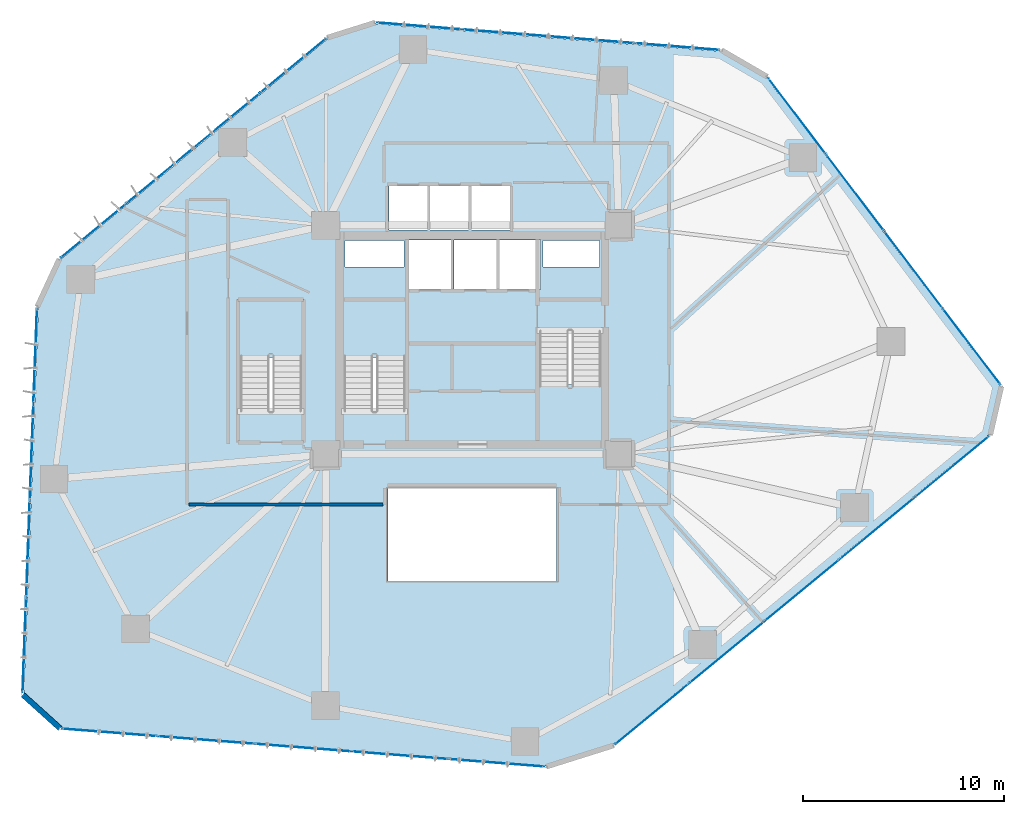
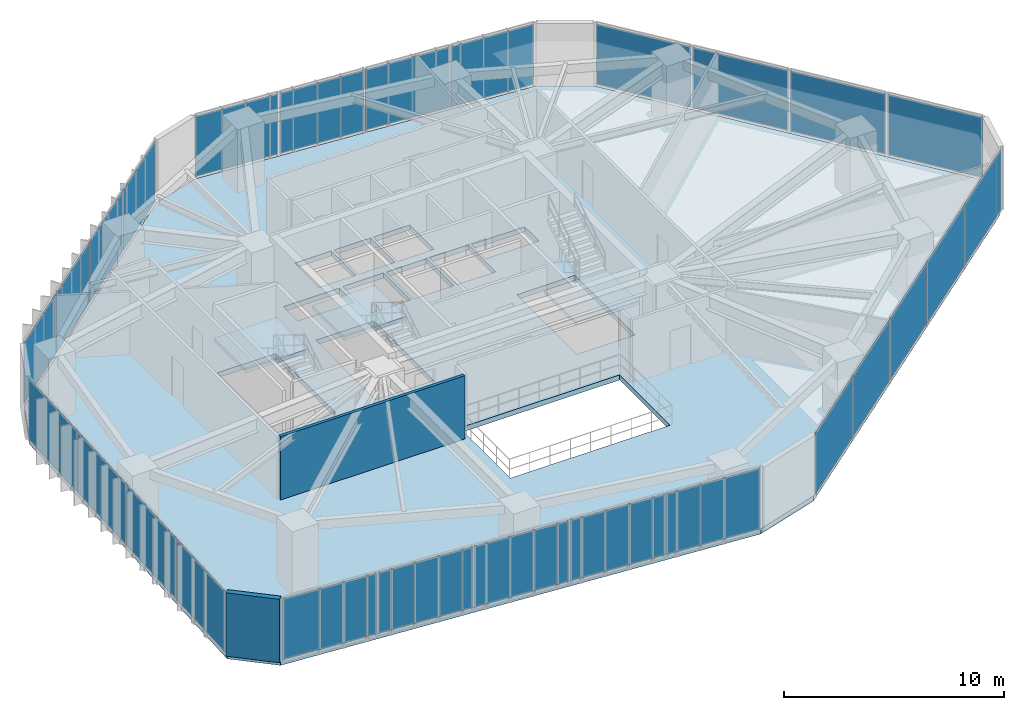
# One storey, part 17 of 23: 26 plates, 4 slabs, 2 walls, 9 elements without a shape of their own.
"""IFC4 building model written with IfcOpenShell, lengths in metres."""

from ifc_helpers import new_model, si_unit, direction, frame, frame_2d, origin, origin_2d, place, context, subcontext, project, spatial, polyline, rectangle, outline, extrude, source, transform, mapped, material, layer, layer_set, type_object, type_shapes, element, aggregate, save


model = new_model("IFC4")

# Units and contexts
model_context = context("Model", 3, precision=1e-05, world=origin(), true_north=direction((0.0, 1.0)))
body_context = subcontext(model_context, "Body", "Model", "MODEL_VIEW")
ifc_project = project(units=[si_unit("LENGTHUNIT", "METRE"), si_unit("AREAUNIT", "SQUARE_METRE"), si_unit("VOLUMEUNIT", "CUBIC_METRE"), si_unit("PLANEANGLEUNIT", "RADIAN"), si_unit("MASSUNIT", "GRAM", prefix="KILO")], contexts=[model_context])

# Site, building, storey
site_placement = place(None, origin())
site = spatial("IfcSite", under=ifc_project, at=site_placement, CompositionType="ELEMENT")
building_placement = place(site_placement, origin())
building = spatial("IfcBuilding", under=site, at=building_placement, Name="Talar Marvaseh", CompositionType="ELEMENT")
storey_placement = place(building_placement, frame((0.0, 0.0, 77.199951171875)))
storey = spatial("IfcBuildingStorey", under=building, at=storey_placement, Name="L19", CompositionType="ELEMENT", Elevation=77.199951171875)

# Stair, slab
ifc_material_1 = material(Name="Concrete C40/50", Category="concrete")
stair_type = type_object("IfcStairType", Name="Reinforced Concrete Half-Turn Exit Stair Type B", PredefinedType="HALF_TURN_STAIR", material=ifc_material_1)
stair_1_placement = place(storey_placement, origin())
stair_1 = element("IfcStair", 1, at=stair_1_placement, inside=storey, type_object=stair_type, Name="L19 Tower West Core Exit Stair", PredefinedType="HALF_TURN_STAIR")
ifc_layer_1 = layer(ifc_material_1, 0.199951171875)
ifc_layer_set_1 = layer_set([ifc_layer_1], Name="Concrete C40/50")
slab_type_1 = type_object("IfcSlabType", Name="Reinforced Concrete Stair Half-Landing Slab 200", PredefinedType="LANDING", material=ifc_layer_set_1)
slab_1_placement = place(storey_placement, frame((0.0, 0.0, 1.699951171875)))
slab_1 = element("IfcSlab", 2, at=slab_1_placement, type_object=slab_type_1, Name="ST-1 landing 1", PredefinedType="LANDING", context=body_context, shape_type="SweptSolid", body=[
    extrude(outline(polyline([(22.780029296875, 30.330078125), (22.780029296875, 33.219970703125), (19.47998046875, 33.219970703125), (19.47998046875, 30.330078125), (22.780029296875, 30.330078125)])), origin(), (0.0, 0.0, 1.0), 0.2001953125),
])
aggregate(stair_1, [slab_1])

stair_2_placement = place(storey_placement, origin())
stair_2 = element("IfcStair", 3, at=stair_2_placement, inside=storey, type_object=stair_type, Name="L19 Tower East Core Exit Stair", PredefinedType="HALF_TURN_STAIR")
slab_2_placement = place(storey_placement, frame((0.0, 0.0, 1.699951171875)))
slab_2 = element("IfcSlab", 4, at=slab_2_placement, type_object=slab_type_1, Name="ST-2 landing 1", PredefinedType="LANDING", context=body_context, shape_type="SweptSolid", body=[
    extrude(outline(polyline([(29.219970703125, 28.969970703125), (29.219970703125, 26.080078125), (32.52001953125, 26.080078125), (32.52001953125, 28.969970703125), (29.219970703125, 28.969970703125)])), origin(), (0.0, 0.0, 1.0), 0.2001953125),
])
aggregate(stair_2, [slab_2])

stair_3_placement = place(storey_placement, origin())
stair_3 = element("IfcStair", 5, at=stair_3_placement, inside=storey, type_object=stair_type, Name="L19 Museum & Podium Auxiliary Exit Stair", PredefinedType="HALF_TURN_STAIR")
slab_3_placement = place(storey_placement, frame((0.0, 0.0, 1.699951171875)))
slab_3 = element("IfcSlab", 6, at=slab_3_placement, type_object=slab_type_1, Name="ST-3 landing 1", PredefinedType="LANDING", context=body_context, shape_type="SweptSolid", body=[
    extrude(outline(polyline([(17.6201171875, 30.330078125), (17.6201171875, 33.219970703125), (14.320068359375, 33.219970703125), (14.320068359375, 30.330078125), (17.6201171875, 30.330078125)])), origin(), (0.0, 0.0, 1.0), 0.2001953125),
])
aggregate(stair_3, [slab_3])

# Slab
ifc_layer_2 = layer(ifc_material_1, 0.280029296875)
ifc_layer_set_2 = layer_set([ifc_layer_2], Name="Concrete C40/50")
slab_type_2 = type_object("IfcSlabType", Name="Structural Suspended Floor Slab 280", PredefinedType="FLOOR", material=ifc_layer_set_2)
slab_4_placement = place(storey_placement, frame((0.0, 0.0, -0.280029296875)))
element("IfcSlab", 7, at=slab_4_placement, inside=storey, type_object=slab_type_2, Name="L19 Tower Floor Slab", PredefinedType="FLOOR", context=body_context, shape_type="SweptSolid", body=[
    extrude(outline(polyline([(5.510009765625, 11.902587890625), (3.666015625, 13.567138671875), (4.39013671875, 32.820068359375), (5.493408203125, 35.199951171875), (18.7890625, 46.1865234375), (21.188720703125, 46.943115234375), (38.381591796875, 45.569580078125), (40.650390625, 44.252685546875), (52.28662109375, 28.897216796875), (51.730712890625, 26.47607421875), (33.034423828125, 11.06884765625), (29.662109375, 10.005615234375), (5.510009765625, 11.902587890625)]), holes=[polyline([(22.659912109375, 27.64990234375), (22.659912109375, 33.10009765625), (19.60009765625, 33.10009765625), (19.60009765625, 27.64990234375), (22.659912109375, 27.64990234375)]), polyline([(29.340087890625, 31.64990234375), (29.340087890625, 26.199951171875), (32.39990234375, 26.199951171875), (32.39990234375, 31.64990234375), (29.340087890625, 31.64990234375)]), polyline([(17.5, 27.64990234375), (17.5, 33.10009765625), (14.43994140625, 33.10009765625), (14.43994140625, 27.64990234375), (17.5, 27.64990234375)]), polyline([(22.800048828125, 33.719970703125), (24.93994140625, 33.719970703125), (24.93994140625, 36.179931640625), (22.800048828125, 36.179931640625), (22.800048828125, 33.719970703125)]), polyline([(25.080078125, 33.719970703125), (27.219970703125, 33.719970703125), (27.219970703125, 36.179931640625), (25.080078125, 36.179931640625), (25.080078125, 33.719970703125)]), polyline([(27.360107421875, 33.719970703125), (29.39990234375, 33.719970703125), (29.39990234375, 36.179931640625), (27.360107421875, 36.179931640625), (27.360107421875, 33.719970703125)]), polyline([(21.840087890625, 36.659912109375), (23.760009765625, 36.659912109375), (23.760009765625, 38.8798828125), (21.840087890625, 38.8798828125), (21.840087890625, 36.659912109375)]), polyline([(23.89990234375, 36.659912109375), (25.820068359375, 36.659912109375), (25.820068359375, 38.8798828125), (23.89990234375, 38.8798828125), (23.89990234375, 36.659912109375)]), polyline([(25.9599609375, 36.659912109375), (27.8798828125, 36.659912109375), (27.8798828125, 38.8798828125), (25.9599609375, 38.8798828125), (25.9599609375, 36.659912109375)]), polyline([(19.659912109375, 34.840087890625), (22.60009765625, 34.840087890625), (22.60009765625, 36.139892578125), (19.659912109375, 36.139892578125), (19.659912109375, 34.840087890625)]), polyline([(29.52001953125, 34.840087890625), (32.340087890625, 34.840087890625), (32.340087890625, 36.139892578125), (29.52001953125, 36.139892578125), (29.52001953125, 34.840087890625)]), polyline([(21.800048828125, 19.199951171875), (30.199951171875, 19.199951171875), (30.199951171875, 23.800048828125), (21.800048828125, 23.800048828125), (21.800048828125, 19.199951171875)])]), origin(), (0.0, 0.0, 1.0), 0.280029296875),
])

# Curtain wall, plates
ifc_material_2 = material(Name="Architectural Aluminium", Category="aluminium")
ifc_layer_3 = layer(ifc_material_2, 0.219970703125)
ifc_layer_set_3 = layer_set([ifc_layer_3], Name="Architectural Aluminium")
curtain_wall_type = type_object("IfcCurtainWallType", Name="Unitised Low-E Museum Curtain Wall Z1", PredefinedType="NOTDEFINED", material=ifc_layer_set_3)
curtain_wall_1_placement = place(storey_placement, origin())
curtain_wall_1 = element("IfcCurtainWall", 8, at=curtain_wall_1_placement, inside=storey, type_object=curtain_wall_type, Name="L19 Unitised Low-E Museum Curtain Wall Z1", PredefinedType="NOTDEFINED")
ifc_material_3 = material(Name="Laminated Low-E Solar Glass", Category="glass")
ifc_layer_4 = layer(ifc_material_3, 0.028076171875)
ifc_layer_set_4 = layer_set([ifc_layer_4], Name="Laminated Low-E Solar Glass")
plate_type = type_object("IfcPlateType", Name="Double-Glazed Low-E Vision Curtain Panel 28", PredefinedType="CURTAIN_PANEL", material=ifc_layer_set_4)
shared_shape_1 = source(origin(), body_context, "Body", "SweptSolid", [
    extrude(rectangle(XDim=4.696533203125, YDim=0.028076171875, at=origin_2d()), origin(), (0.0, 0.0, 1.0), 3.3701171875),
])
plate_1_placement = place(storey_placement, frame((3.697265625, 15.99609375, 0.074951171875), z_axis=(0.0, 0.0, 1.0), x_axis=(0.037583541904, 0.99929348911, 0.0)))
plate_1 = element("IfcPlate", 9, at=plate_1_placement, type_object=plate_type, Name="CW-Z1 panel 1.1", PredefinedType="CURTAIN_PANEL", context=body_context, shape_type="MappedRepresentation", body=[
    mapped(shared_shape_1, transform((0.0, 0.0, 0.0), x_axis=(1.0, 0.0, 0.0), y_axis=(0.0, 1.0, 0.0), z_axis=(0.0, 0.0, 1.0), scale=1.0)),
])
plate_2_placement = place(storey_placement, frame((4.23876953125, 30.395751953125, 0.074951171875), z_axis=(0.0, 0.0, 1.0), x_axis=(0.037583541904, 0.99929348911, 0.0)))
plate_2 = element("IfcPlate", 10, at=plate_2_placement, type_object=plate_type, Name="CW-Z1 panel 4.1", PredefinedType="CURTAIN_PANEL", context=body_context, shape_type="MappedRepresentation", body=[
    mapped(shared_shape_1, transform((0.0, 0.0, 0.0), x_axis=(1.0, 0.0, 0.0), y_axis=(0.0, 1.0, 0.0), z_axis=(0.0, 0.0, 1.0), scale=1.0)),
])

curtain_wall_2_placement = place(storey_placement, origin())
curtain_wall_2 = element("IfcCurtainWall", 11, at=curtain_wall_2_placement, inside=storey, type_object=curtain_wall_type, Name="L19 Unitised Low-E Museum Curtain Wall Z1", PredefinedType="NOTDEFINED")
plate_3_placement = place(storey_placement, frame((42.164794921875, 42.353515625, 0.074951171875), z_axis=(0.0, 0.0, 1.0), x_axis=(0.603958913884, -0.797015451758, 0.0)))
plate_3 = element("IfcPlate", 12, at=plate_3_placement, type_object=plate_type, Name="CW-Z1 panel 1.1", PredefinedType="CURTAIN_PANEL", context=body_context, shape_type="MappedRepresentation", body=[
    mapped(shared_shape_1, transform((0.0, 0.0, 0.0), x_axis=(1.0, 0.0, 0.0), y_axis=(0.0, 1.0, 0.0), z_axis=(0.0, 0.0, 1.0), scale=1.0)),
])
plate_4_placement = place(storey_placement, frame((50.86767578125, 30.868896484375, 0.074951171875), z_axis=(0.0, 0.0, 1.0), x_axis=(0.603958913884, -0.797015451758, 0.0)))
plate_4 = element("IfcPlate", 13, at=plate_4_placement, type_object=plate_type, Name="CW-Z1 panel 4.1", PredefinedType="CURTAIN_PANEL", context=body_context, shape_type="MappedRepresentation", body=[
    mapped(shared_shape_1, transform((0.0, 0.0, 0.0), x_axis=(1.0, 0.0, 0.0), y_axis=(0.0, 1.0, 0.0), z_axis=(0.0, 0.0, 1.0), scale=1.0)),
])

# Plate
shared_shape_2 = source(origin(), body_context, "Body", "SweptSolid", [
    extrude(rectangle(XDim=4.736572265625, YDim=0.028076171875, at=origin_2d()), origin(), (0.0, 0.0, 1.0), 3.3701171875),
])
plate_5_placement = place(storey_placement, frame((3.87744140625, 20.789306640625, 0.074951171875), z_axis=(0.0, 0.0, 1.0), x_axis=(0.037583541904, 0.99929348911, 0.0)))
plate_5 = element("IfcPlate", 14, at=plate_5_placement, type_object=plate_type, Name="CW-Z1 panel 2.1", PredefinedType="CURTAIN_PANEL", context=body_context, shape_type="MappedRepresentation", body=[
    mapped(shared_shape_2, transform((0.0, 0.0, 0.0), x_axis=(1.0, 0.0, 0.0), y_axis=(0.0, 1.0, 0.0), z_axis=(0.0, 0.0, 1.0), scale=1.0)),
])

plate_6_placement = place(storey_placement, frame((4.05859375, 25.6025390625, 0.074951171875), z_axis=(0.0, 0.0, 1.0), x_axis=(0.037583541904, 0.99929348911, 0.0)))
plate_6 = element("IfcPlate", 15, at=plate_6_placement, type_object=plate_type, Name="CW-Z1 panel 3.1", PredefinedType="CURTAIN_PANEL", context=body_context, shape_type="MappedRepresentation", body=[
    mapped(shared_shape_2, transform((0.0, 0.0, 0.0), x_axis=(1.0, 0.0, 0.0), y_axis=(0.0, 1.0, 0.0), z_axis=(0.0, 0.0, 1.0), scale=1.0)),
])

aggregate(curtain_wall_1, [plate_1, plate_5, plate_6, plate_2])

plate_7_placement = place(storey_placement, frame((45.061767578125, 38.53076171875, 0.074951171875), z_axis=(0.0, 0.0, 1.0), x_axis=(0.603958913884, -0.797015451758, 0.0)))
plate_7 = element("IfcPlate", 16, at=plate_7_placement, type_object=plate_type, Name="CW-Z1 panel 2.1", PredefinedType="CURTAIN_PANEL", context=body_context, shape_type="MappedRepresentation", body=[
    mapped(shared_shape_2, transform((0.0, 0.0, 0.0), x_axis=(1.0, 0.0, 0.0), y_axis=(0.0, 1.0, 0.0), z_axis=(0.0, 0.0, 1.0), scale=1.0)),
])

plate_8_placement = place(storey_placement, frame((47.970703125, 34.691650390625, 0.074951171875), z_axis=(0.0, 0.0, 1.0), x_axis=(0.603958913884, -0.797015451758, 0.0)))
plate_8 = element("IfcPlate", 17, at=plate_8_placement, type_object=plate_type, Name="CW-Z1 panel 3.1", PredefinedType="CURTAIN_PANEL", context=body_context, shape_type="MappedRepresentation", body=[
    mapped(shared_shape_2, transform((0.0, 0.0, 0.0), x_axis=(1.0, 0.0, 0.0), y_axis=(0.0, 1.0, 0.0), z_axis=(0.0, 0.0, 1.0), scale=1.0)),
])

aggregate(curtain_wall_2, [plate_3, plate_7, plate_8, plate_4])

# Curtain wall, plates
curtain_wall_3_placement = place(storey_placement, origin())
curtain_wall_3 = element("IfcCurtainWall", 18, at=curtain_wall_3_placement, inside=storey, type_object=curtain_wall_type, Name="L19 Unitised Low-E Museum Curtain Wall Z1", PredefinedType="NOTDEFINED")
shared_shape_3 = source(origin(), body_context, "Body", "SweptSolid", [
    extrude(rectangle(XDim=4.19189453125, YDim=0.028076171875, at=origin_2d()), origin(), (0.0, 0.0, 1.0), 3.3701171875),
])
plate_9_placement = place(storey_placement, frame((7.132568359375, 36.63232421875, 0.074951171875), z_axis=(0.0, 0.0, 1.0), x_axis=(0.77086841636, 0.636994414935, 0.0)))
plate_9 = element("IfcPlate", 19, at=plate_9_placement, type_object=plate_type, Name="CW-Z1 panel 1.1", PredefinedType="CURTAIN_PANEL", context=body_context, shape_type="MappedRepresentation", body=[
    mapped(shared_shape_3, transform((0.0, 0.0, 0.0), x_axis=(1.0, 0.0, 0.0), y_axis=(0.0, 1.0, 0.0), z_axis=(0.0, 0.0, 1.0), scale=1.0)),
])
plate_10_placement = place(storey_placement, frame((17.073486328125, 44.8466796875, 0.074951171875), z_axis=(0.0, 0.0, 1.0), x_axis=(0.77086841636, 0.636994414935, 0.0)))
plate_10 = element("IfcPlate", 20, at=plate_10_placement, type_object=plate_type, Name="CW-Z1 panel 4.1", PredefinedType="CURTAIN_PANEL", context=body_context, shape_type="MappedRepresentation", body=[
    mapped(shared_shape_3, transform((0.0, 0.0, 0.0), x_axis=(1.0, 0.0, 0.0), y_axis=(0.0, 1.0, 0.0), z_axis=(0.0, 0.0, 1.0), scale=1.0)),
])

curtain_wall_4_placement = place(storey_placement, origin())
curtain_wall_4 = element("IfcCurtainWall", 21, at=curtain_wall_4_placement, inside=storey, type_object=curtain_wall_type, Name="L19 Unitised Low-E Museum Curtain Wall Z1", PredefinedType="NOTDEFINED")
plate_11_placement = place(storey_placement, frame((23.362548828125, 46.82958984375, 0.074951171875), z_axis=(0.0, 0.0, 1.0), x_axis=(0.996823679512, -0.079640140412, 0.0)))
plate_11 = element("IfcPlate", 22, at=plate_11_placement, type_object=plate_type, Name="CW-Z1 panel 1.1", PredefinedType="CURTAIN_PANEL", context=body_context, shape_type="MappedRepresentation", body=[
    mapped(shared_shape_3, transform((0.0, 0.0, 0.0), x_axis=(1.0, 0.0, 0.0), y_axis=(0.0, 1.0, 0.0), z_axis=(0.0, 0.0, 1.0), scale=1.0)),
])
plate_12_placement = place(storey_placement, frame((36.21728515625, 45.802490234375, 0.074951171875), z_axis=(0.0, 0.0, 1.0), x_axis=(0.996823679512, -0.079640140412, 0.0)))
plate_12 = element("IfcPlate", 23, at=plate_12_placement, type_object=plate_type, Name="CW-Z1 panel 4.1", PredefinedType="CURTAIN_PANEL", context=body_context, shape_type="MappedRepresentation", body=[
    mapped(shared_shape_3, transform((0.0, 0.0, 0.0), x_axis=(1.0, 0.0, 0.0), y_axis=(0.0, 1.0, 0.0), z_axis=(0.0, 0.0, 1.0), scale=1.0)),
])

# Plate
shared_shape_4 = source(origin(), body_context, "Body", "SweptSolid", [
    extrude(rectangle(XDim=4.23193359375, YDim=0.028076171875, at=origin_2d()), origin(), (0.0, 0.0, 1.0), 3.3701171875),
])
plate_13_placement = place(storey_placement, frame((10.441162109375, 39.3662109375, 0.074951171875), z_axis=(0.0, 0.0, 1.0), x_axis=(0.77086841636, 0.636994414935, 0.0)))
plate_13 = element("IfcPlate", 24, at=plate_13_placement, type_object=plate_type, Name="CW-Z1 panel 2.1", PredefinedType="CURTAIN_PANEL", context=body_context, shape_type="MappedRepresentation", body=[
    mapped(shared_shape_4, transform((0.0, 0.0, 0.0), x_axis=(1.0, 0.0, 0.0), y_axis=(0.0, 1.0, 0.0), z_axis=(0.0, 0.0, 1.0), scale=1.0)),
])

plate_14_placement = place(storey_placement, frame((13.76513671875, 42.11279296875, 0.074951171875), z_axis=(0.0, 0.0, 1.0), x_axis=(0.77086841636, 0.636994414935, 0.0)))
plate_14 = element("IfcPlate", 25, at=plate_14_placement, type_object=plate_type, Name="CW-Z1 panel 3.1", PredefinedType="CURTAIN_PANEL", context=body_context, shape_type="MappedRepresentation", body=[
    mapped(shared_shape_4, transform((0.0, 0.0, 0.0), x_axis=(1.0, 0.0, 0.0), y_axis=(0.0, 1.0, 0.0), z_axis=(0.0, 0.0, 1.0), scale=1.0)),
])

aggregate(curtain_wall_3, [plate_9, plate_13, plate_14, plate_10])

plate_15_placement = place(storey_placement, frame((27.640869140625, 46.48779296875, 0.074951171875), z_axis=(0.0, 0.0, 1.0), x_axis=(0.996823679512, -0.079640140412, 0.0)))
plate_15 = element("IfcPlate", 26, at=plate_15_placement, type_object=plate_type, Name="CW-Z1 panel 2.1", PredefinedType="CURTAIN_PANEL", context=body_context, shape_type="MappedRepresentation", body=[
    mapped(shared_shape_4, transform((0.0, 0.0, 0.0), x_axis=(1.0, 0.0, 0.0), y_axis=(0.0, 1.0, 0.0), z_axis=(0.0, 0.0, 1.0), scale=1.0)),
])

plate_16_placement = place(storey_placement, frame((31.93896484375, 46.144287109375, 0.074951171875), z_axis=(0.0, 0.0, 1.0), x_axis=(0.996823679512, -0.079640140412, 0.0)))
plate_16 = element("IfcPlate", 27, at=plate_16_placement, type_object=plate_type, Name="CW-Z1 panel 3.1", PredefinedType="CURTAIN_PANEL", context=body_context, shape_type="MappedRepresentation", body=[
    mapped(shared_shape_4, transform((0.0, 0.0, 0.0), x_axis=(1.0, 0.0, 0.0), y_axis=(0.0, 1.0, 0.0), z_axis=(0.0, 0.0, 1.0), scale=1.0)),
])

aggregate(curtain_wall_4, [plate_11, plate_15, plate_16, plate_12])

# Curtain wall, plates
curtain_wall_5_placement = place(storey_placement, origin())
curtain_wall_5 = element("IfcCurtainWall", 28, at=curtain_wall_5_placement, inside=storey, type_object=curtain_wall_type, Name="L19 Unitised Low-E Museum Curtain Wall Z1", PredefinedType="NOTDEFINED")
shared_shape_5 = source(origin(), body_context, "Body", "SweptSolid", [
    extrude(rectangle(XDim=4.725341796875, YDim=0.028076171875, at=origin_2d()), origin(), (0.0, 0.0, 1.0), 3.3701171875),
])
plate_17_placement = place(storey_placement, frame((49.884033203125, 24.876220703125, 0.074951171875), z_axis=(0.0, 0.0, 1.0), x_axis=(-0.771722636217, -0.635959254001, 0.0)))
plate_17 = element("IfcPlate", 29, at=plate_17_placement, type_object=plate_type, Name="CW-Z1 panel 1.1", PredefinedType="CURTAIN_PANEL", context=body_context, shape_type="MappedRepresentation", body=[
    mapped(shared_shape_5, transform((0.0, 0.0, 0.0), x_axis=(1.0, 0.0, 0.0), y_axis=(0.0, 1.0, 0.0), z_axis=(0.0, 0.0, 1.0), scale=1.0)),
])
plate_18_placement = place(storey_placement, frame((34.957763671875, 12.575927734375, 0.074951171875), z_axis=(0.0, 0.0, 1.0), x_axis=(-0.771722636217, -0.635959254001, 0.0)))
plate_18 = element("IfcPlate", 30, at=plate_18_placement, type_object=plate_type, Name="CW-Z1 panel 5.1", PredefinedType="CURTAIN_PANEL", context=body_context, shape_type="MappedRepresentation", body=[
    mapped(shared_shape_5, transform((0.0, 0.0, 0.0), x_axis=(1.0, 0.0, 0.0), y_axis=(0.0, 1.0, 0.0), z_axis=(0.0, 0.0, 1.0), scale=1.0)),
])

curtain_wall_6_placement = place(storey_placement, origin())
curtain_wall_6 = element("IfcCurtainWall", 31, at=curtain_wall_6_placement, inside=storey, type_object=curtain_wall_type, Name="L19 Unitised Low-E Museum Curtain Wall Z1", PredefinedType="NOTDEFINED")
plate_19_placement = place(storey_placement, frame((27.222412109375, 10.136962890625, 0.074951171875), z_axis=(0.0, 0.0, 1.0), x_axis=(-0.99692935559, 0.078306193639, 0.0)))
plate_19 = element("IfcPlate", 32, at=plate_19_placement, type_object=plate_type, Name="CW-Z1 panel 1.1", PredefinedType="CURTAIN_PANEL", context=body_context, shape_type="MappedRepresentation", body=[
    mapped(shared_shape_5, transform((0.0, 0.0, 0.0), x_axis=(1.0, 0.0, 0.0), y_axis=(0.0, 1.0, 0.0), z_axis=(0.0, 0.0, 1.0), scale=1.0)),
])
plate_20_placement = place(storey_placement, frame((7.9404296875, 11.651611328125, 0.074951171875), z_axis=(0.0, 0.0, 1.0), x_axis=(-0.99692935559, 0.078306193639, 0.0)))
plate_20 = element("IfcPlate", 33, at=plate_20_placement, type_object=plate_type, Name="CW-Z1 panel 5.1", PredefinedType="CURTAIN_PANEL", context=body_context, shape_type="MappedRepresentation", body=[
    mapped(shared_shape_5, transform((0.0, 0.0, 0.0), x_axis=(1.0, 0.0, 0.0), y_axis=(0.0, 1.0, 0.0), z_axis=(0.0, 0.0, 1.0), scale=1.0)),
])

# Plate
shared_shape_6 = source(origin(), body_context, "Body", "SweptSolid", [
    extrude(rectangle(XDim=4.765380859375, YDim=0.028076171875, at=origin_2d()), origin(), (0.0, 0.0, 1.0), 3.3701171875),
])
type_shapes(plate_type, [shared_shape_1, shared_shape_2, shared_shape_3, shared_shape_4, shared_shape_5, shared_shape_6])
plate_21_placement = place(storey_placement, frame((46.16015625, 21.8076171875, 0.074951171875), z_axis=(0.0, 0.0, 1.0), x_axis=(-0.771722636217, -0.635959254001, 0.0)))
plate_21 = element("IfcPlate", 34, at=plate_21_placement, type_object=plate_type, Name="CW-Z1 panel 2.1", PredefinedType="CURTAIN_PANEL", context=body_context, shape_type="MappedRepresentation", body=[
    mapped(shared_shape_6, transform((0.0, 0.0, 0.0), x_axis=(1.0, 0.0, 0.0), y_axis=(0.0, 1.0, 0.0), z_axis=(0.0, 0.0, 1.0), scale=1.0)),
])

plate_22_placement = place(storey_placement, frame((42.4208984375, 18.72607421875, 0.074951171875), z_axis=(0.0, 0.0, 1.0), x_axis=(-0.771722636217, -0.635959254001, 0.0)))
plate_22 = element("IfcPlate", 35, at=plate_22_placement, type_object=plate_type, Name="CW-Z1 panel 3.1", PredefinedType="CURTAIN_PANEL", context=body_context, shape_type="MappedRepresentation", body=[
    mapped(shared_shape_6, transform((0.0, 0.0, 0.0), x_axis=(1.0, 0.0, 0.0), y_axis=(0.0, 1.0, 0.0), z_axis=(0.0, 0.0, 1.0), scale=1.0)),
])

plate_23_placement = place(storey_placement, frame((38.681640625, 15.644775390625, 0.074951171875), z_axis=(0.0, 0.0, 1.0), x_axis=(-0.771722636217, -0.635959254001, 0.0)))
plate_23 = element("IfcPlate", 36, at=plate_23_placement, type_object=plate_type, Name="CW-Z1 panel 4.1", PredefinedType="CURTAIN_PANEL", context=body_context, shape_type="MappedRepresentation", body=[
    mapped(shared_shape_6, transform((0.0, 0.0, 0.0), x_axis=(1.0, 0.0, 0.0), y_axis=(0.0, 1.0, 0.0), z_axis=(0.0, 0.0, 1.0), scale=1.0)),
])

aggregate(curtain_wall_5, [plate_17, plate_21, plate_22, plate_23, plate_18])

plate_24_placement = place(storey_placement, frame((22.411865234375, 10.514892578125, 0.074951171875), z_axis=(0.0, 0.0, 1.0), x_axis=(-0.99692935559, 0.078306193639, 0.0)))
plate_24 = element("IfcPlate", 37, at=plate_24_placement, type_object=plate_type, Name="CW-Z1 panel 2.1", PredefinedType="CURTAIN_PANEL", context=body_context, shape_type="MappedRepresentation", body=[
    mapped(shared_shape_6, transform((0.0, 0.0, 0.0), x_axis=(1.0, 0.0, 0.0), y_axis=(0.0, 1.0, 0.0), z_axis=(0.0, 0.0, 1.0), scale=1.0)),
])

plate_25_placement = place(storey_placement, frame((17.581298828125, 10.894287109375, 0.074951171875), z_axis=(0.0, 0.0, 1.0), x_axis=(-0.99692935559, 0.078306193639, 0.0)))
plate_25 = element("IfcPlate", 38, at=plate_25_placement, type_object=plate_type, Name="CW-Z1 panel 3.1", PredefinedType="CURTAIN_PANEL", context=body_context, shape_type="MappedRepresentation", body=[
    mapped(shared_shape_6, transform((0.0, 0.0, 0.0), x_axis=(1.0, 0.0, 0.0), y_axis=(0.0, 1.0, 0.0), z_axis=(0.0, 0.0, 1.0), scale=1.0)),
])

plate_26_placement = place(storey_placement, frame((12.7509765625, 11.273681640625, 0.074951171875), z_axis=(0.0, 0.0, 1.0), x_axis=(-0.99692935559, 0.078306193639, 0.0)))
plate_26 = element("IfcPlate", 39, at=plate_26_placement, type_object=plate_type, Name="CW-Z1 panel 4.1", PredefinedType="CURTAIN_PANEL", context=body_context, shape_type="MappedRepresentation", body=[
    mapped(shared_shape_6, transform((0.0, 0.0, 0.0), x_axis=(1.0, 0.0, 0.0), y_axis=(0.0, 1.0, 0.0), z_axis=(0.0, 0.0, 1.0), scale=1.0)),
])

aggregate(curtain_wall_6, [plate_19, plate_24, plate_25, plate_26, plate_20])

# Walls
ifc_material_4 = material(Name="Precast concrete C45/55", Category="concrete")
ifc_layer_5 = layer(ifc_material_4, 0.27001953125)
ifc_layer_set_5 = layer_set([ifc_layer_5], Name="Precast concrete C45/55")
wall_type_1 = type_object("IfcWallType", Name="Chamfered Hexagonal Corner Pier Wall Z1 270", PredefinedType="SOLIDWALL", material=ifc_layer_set_5)
wall_1_placement = place(storey_placement, frame((5.4697265625, 11.858154296875, 0.0), z_axis=(0.0, 0.0, 1.0), x_axis=(-0.742301308324, 0.670066241249, 0.0)))
element("IfcWall", 40, at=wall_1_placement, inside=storey, type_object=wall_type_1, Name="L19 Chamfered Corner Limestone Pier 1", PredefinedType="SOLIDWALL", context=body_context, shape_type="SweptSolid", body=[
    extrude(rectangle(XDim=2.484130859375, YDim=0.27001953125, at=frame_2d((1.2421875, 0.0))), origin(), (0.0, 0.0, 1.0), 3.52001953125),
])
ifc_material_5 = material(Name="Gypsum Board Partition Assembly")
ifc_layer_6 = layer(ifc_material_5, 0.155029296875)
ifc_layer_set_6 = layer_set([ifc_layer_6], Name="Gypsum Board Partition Assembly")
wall_type_2 = type_object("IfcWallType", Name="Corridor Fire-Rated Acoustic Partition 155", PredefinedType="PARTITIONING", material=ifc_layer_set_6)
wall_2_placement = place(storey_placement, frame((21.556396484375, 23.0, 0.0), z_axis=(0.0, 0.0, 1.0), x_axis=(-1.0, 0.0, 0.0)))
element("IfcWall", 41, at=wall_2_placement, inside=storey, type_object=wall_type_2, Name="L19 Interior Partition Wall", PredefinedType="PARTITIONING", context=body_context, shape_type="SweptSolid", body=[
    extrude(rectangle(XDim=9.6728515625, YDim=0.155029296875, at=frame_2d((4.83642578125, 0.0))), origin(), (0.0, 0.0, 1.0), 3.52001953125),
])

save(model, "model.ifc")
